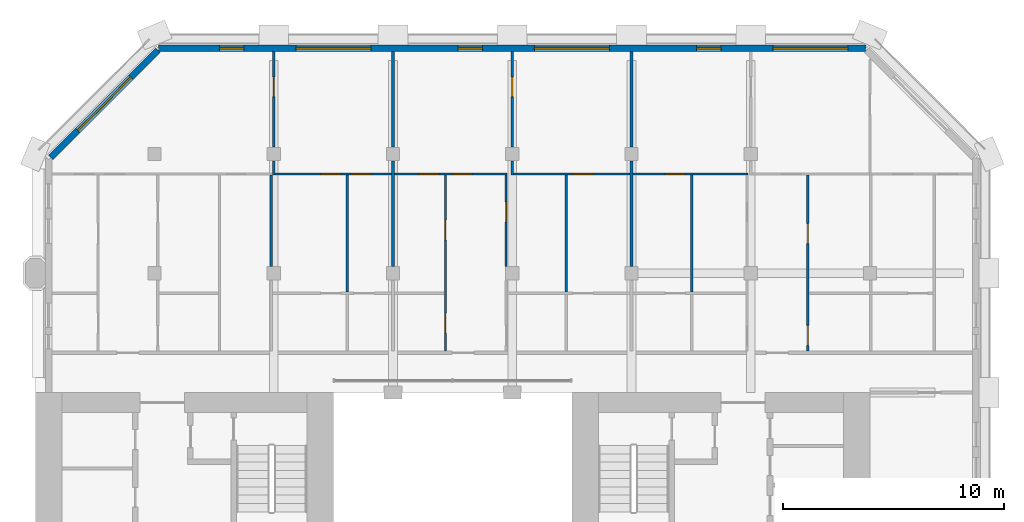
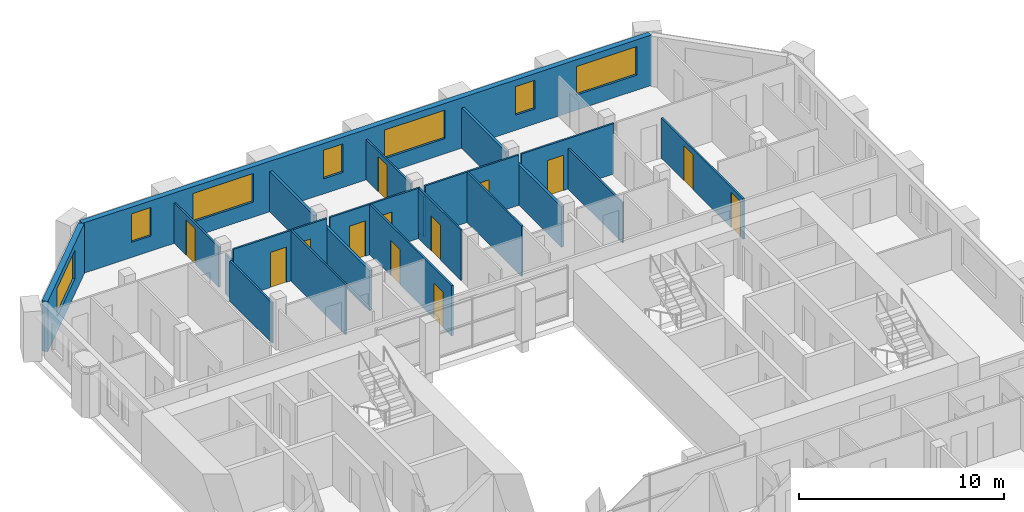
# One storey, part 9 of 13: 21 walls, 13 doors, 7 windows, 20 openings.
"""IFC4 building model written with IfcOpenShell, lengths in metres."""

from ifc_helpers import new_model, si_unit, direction, frame, frame_2d, origin, place, context, subcontext, project, spatial, rectangle, extrude, material, layer, layer_set, type_object, element, fill, save


model = new_model("IFC4")

# Units and contexts
model_context = context("Model", 3, precision=1e-05, world=origin(), true_north=direction((0.0, 1.0)))
body_context = subcontext(model_context, "Body", "Model", "MODEL_VIEW")
ifc_project = project(units=[si_unit("LENGTHUNIT", "METRE"), si_unit("AREAUNIT", "SQUARE_METRE"), si_unit("VOLUMEUNIT", "CUBIC_METRE"), si_unit("PLANEANGLEUNIT", "RADIAN"), si_unit("MASSUNIT", "GRAM", prefix="KILO")], contexts=[model_context])

# Site, building, storey
site_placement = place(None, origin())
site = spatial("IfcSite", under=ifc_project, at=site_placement, CompositionType="ELEMENT")
building_placement = place(site_placement, origin())
building = spatial("IfcBuilding", under=site, at=building_placement, Name="Tabaq Tower and Sports Hall", CompositionType="ELEMENT")
storey_placement = place(building_placement, frame((0.0, 0.0, 301.60009765625)))
storey = spatial("IfcBuildingStorey", under=building, at=storey_placement, Name="L75", CompositionType="ELEMENT", Elevation=301.60009765625)

# Wall
ifc_material_1 = material(Name="Gypsum board on steel studs", Category="steel")
ifc_layer_1 = layer(ifc_material_1, 0.10009765625)
ifc_layer_set_1 = layer_set([ifc_layer_1], Name="Partition 100 Gypsum board")
wall_type_1 = type_object("IfcWallType", Name="Partition 100 Gypsum board", PredefinedType="PARTITIONING", material=ifc_layer_set_1)
wall_1_placement = place(storey_placement, frame((16.199951171875, 42.25, 0.0), z_axis=(0.0, 0.0, 1.0), x_axis=(0.0, 1.0, 0.0)))
element("IfcWall", 1, at=wall_1_placement, inside=storey, type_object=wall_type_1, Name="Partition wall L75", PredefinedType="PARTITIONING", context=body_context, shape_type="SweptSolid", body=[
    extrude(rectangle(XDim=0.6298828125, YDim=0.10009765625, at=frame_2d((0.31494140625, 0.0))), origin(), (0.0, 0.0, 1.0), 2.39990234375),
])

# Wall, opening, door
wall_2_placement = place(storey_placement, frame((16.199951171875, 43.52001953125, 0.0), z_axis=(0.0, 0.0, 1.0), x_axis=(0.0, 1.0, 0.0)))
wall_2 = element("IfcWall", 2, at=wall_2_placement, inside=storey, type_object=wall_type_1, Name="Partition wall L75", PredefinedType="PARTITIONING", context=body_context, shape_type="SweptSolid", body=[
    extrude(rectangle(XDim=4.3291015625, YDim=0.10009765625, at=frame_2d((2.16455078125, 0.0))), origin(), (0.0, 0.0, 1.0), 2.39990234375),
])
opening_1_placement = place(wall_2_placement, frame((2.280029296875, 0.0, 0.0)))
opening_1 = element("IfcOpeningElement", 3, at=opening_1_placement, cuts=wall_2, Name="Opening L75-051", PredefinedType="OPENING", context=body_context, shape_type="SweptSolid", body=[
    extrude(rectangle(XDim=0.89990234375, YDim=2.10009765625, at=frame_2d((0.449951171875, 1.050048828125))), frame((0.0, 0.050048828125, 0.0), z_axis=(0.0, -1.0, 0.0), x_axis=(1.0, 0.0, 0.0)), (0.0, 0.0, 1.0), 0.10009765625),
])
ifc_material_2 = material(Name="Timber leaf in steel frame", Category="steel")
door_type_1 = type_object("IfcDoorType", Name="Internal door 900 left hand", OperationType="SINGLE_SWING_LEFT", PredefinedType="DOOR", material=ifc_material_2)
door_1_placement = place(opening_1_placement, origin())
door_1 = element("IfcDoor", 4, at=door_1_placement, inside=storey, type_object=door_type_1, Name="Internal door L75-051", OperationType="SINGLE_SWING_LEFT", OverallHeight=2.10009765625, OverallWidth=0.89990234375, PredefinedType="DOOR", context=body_context, shape_type="SweptSolid", body=[
    extrude(rectangle(XDim=0.89990234375, YDim=2.10009765625, at=frame_2d((0.449951171875, 1.050048828125))), frame((0.0, 0.02490234375, 0.0), z_axis=(0.0, -1.0, 0.0), x_axis=(1.0, 0.0, 0.0)), (0.0, 0.0, 1.0), 0.050048828125),
])
fill(opening_1, door_1)

# Wall, openings, doors
wall_3_placement = place(storey_placement, frame((16.25, 42.300048828125, 0.0), z_axis=(0.0, 0.0, 1.0), x_axis=(1.0, 0.0, 0.0)))
wall_3 = element("IfcWall", 5, at=wall_3_placement, inside=storey, type_object=wall_type_1, Name="Partition wall L75", PredefinedType="PARTITIONING", context=body_context, shape_type="SweptSolid", body=[
    extrude(rectangle(XDim=5.27490234375, YDim=0.10009765625, at=frame_2d((2.637451171875, 0.0))), origin(), (0.0, 0.0, 1.0), 3.0),
])
opening_2_placement = place(wall_3_placement, frame((2.080078125, 0.0, 0.0)))
opening_2 = element("IfcOpeningElement", 6, at=opening_2_placement, cuts=wall_3, Name="Opening L75-029", PredefinedType="OPENING", context=body_context, shape_type="SweptSolid", body=[
    extrude(rectangle(XDim=0.89990234375, YDim=2.10009765625, at=frame_2d((0.449951171875, 1.050048828125))), frame((0.0, 0.050048828125, 0.0), z_axis=(0.0, -1.0, 0.0), x_axis=(1.0, 0.0, 0.0)), (0.0, 0.0, 1.0), 0.10009765625),
])
opening_3_placement = place(wall_3_placement, frame((3.449951171875, 0.0, 0.0)))
opening_3 = element("IfcOpeningElement", 7, at=opening_3_placement, cuts=wall_3, Name="Opening L75-030", PredefinedType="OPENING", context=body_context, shape_type="SweptSolid", body=[
    extrude(rectangle(XDim=0.89990234375, YDim=2.10009765625, at=frame_2d((0.449951171875, 1.050048828125))), frame((0.0, 0.050048828125, 0.0), z_axis=(0.0, -1.0, 0.0), x_axis=(1.0, 0.0, 0.0)), (0.0, 0.0, 1.0), 0.10009765625),
])
door_2_placement = place(opening_2_placement, origin())
door_2 = element("IfcDoor", 8, at=door_2_placement, inside=storey, type_object=door_type_1, Name="Internal door L75-029", OperationType="SINGLE_SWING_LEFT", OverallHeight=2.10009765625, OverallWidth=0.89990234375, PredefinedType="DOOR", context=body_context, shape_type="SweptSolid", body=[
    extrude(rectangle(XDim=0.89990234375, YDim=2.10009765625, at=frame_2d((0.449951171875, 1.050048828125))), frame((0.0, 0.02490234375, 0.0), z_axis=(0.0, -1.0, 0.0), x_axis=(1.0, 0.0, 0.0)), (0.0, 0.0, 1.0), 0.050048828125),
])
fill(opening_2, door_2)
ifc_material_3 = material(Name="Timber leaf in steel frame", Category="steel")
door_type_2 = type_object("IfcDoorType", Name="Internal door 900 right hand", OperationType="SINGLE_SWING_RIGHT", PredefinedType="DOOR", material=ifc_material_3)
door_3_placement = place(opening_3_placement, origin())
door_3 = element("IfcDoor", 9, at=door_3_placement, inside=storey, type_object=door_type_2, Name="Internal door L75-030", OperationType="SINGLE_SWING_RIGHT", OverallHeight=2.10009765625, OverallWidth=0.89990234375, PredefinedType="DOOR", context=body_context, shape_type="SweptSolid", body=[
    extrude(rectangle(XDim=0.89990234375, YDim=2.10009765625, at=frame_2d((0.449951171875, 1.050048828125))), frame((0.0, 0.02490234375, 0.0), z_axis=(0.0, -1.0, 0.0), x_axis=(1.0, 0.0, 0.0)), (0.0, 0.0, 1.0), 0.050048828125),
])
fill(opening_3, door_3)

# Walls
wall_4_placement = place(storey_placement, frame((16.080078125, 38.1201171875, 0.0), z_axis=(0.0, 0.0, 1.0), x_axis=(0.0, 1.0, 0.0)))
element("IfcWall", 10, at=wall_4_placement, inside=storey, type_object=wall_type_1, Name="Partition wall L75", PredefinedType="PARTITIONING", context=body_context, shape_type="SweptSolid", body=[
    extrude(rectangle(XDim=4.1298828125, YDim=0.10009765625, at=frame_2d((2.06494140625, 0.0))), origin(), (0.0, 0.0, 1.0), 2.39990234375),
])
wall_5_placement = place(storey_placement, frame((19.530029296875, 36.949951171875, 0.0), z_axis=(0.0, 0.0, 1.0), x_axis=(0.0, 1.0, 0.0)))
element("IfcWall", 11, at=wall_5_placement, inside=storey, type_object=wall_type_1, Name="Partition wall L75", PredefinedType="PARTITIONING", context=body_context, shape_type="SweptSolid", body=[
    extrude(rectangle(XDim=5.300048828125, YDim=0.10009765625, at=frame_2d((2.64990234375, 0.0))), origin(), (0.0, 0.0, 1.0), 3.0),
])

# Wall, openings, doors
wall_6_placement = place(storey_placement, frame((21.675048828125, 42.300048828125, 0.0), z_axis=(0.0, 0.0, 1.0), x_axis=(1.0, 0.0, 0.0)))
wall_6 = element("IfcWall", 12, at=wall_6_placement, inside=storey, type_object=wall_type_1, Name="Partition wall L75", PredefinedType="PARTITIONING", context=body_context, shape_type="SweptSolid", body=[
    extrude(rectangle(XDim=5.096923828125, YDim=0.10009765625, at=frame_2d((2.54833984375, 0.0))), origin(), (0.0, 0.0, 1.0), 3.0),
])
opening_4_placement = place(wall_6_placement, frame((1.096923828125, 0.0, 0.0)))
opening_4 = element("IfcOpeningElement", 13, at=opening_4_placement, cuts=wall_6, Name="Opening L75-033", PredefinedType="OPENING", context=body_context, shape_type="SweptSolid", body=[
    extrude(rectangle(XDim=0.89990234375, YDim=2.10009765625, at=frame_2d((0.449951171875, 1.050048828125))), frame((0.0, 0.050048828125, 0.0), z_axis=(0.0, -1.0, 0.0), x_axis=(1.0, 0.0, 0.0)), (0.0, 0.0, 1.0), 0.10009765625),
])
opening_5_placement = place(wall_6_placement, frame((2.596923828125, 0.0, 0.0)))
opening_5 = element("IfcOpeningElement", 14, at=opening_5_placement, cuts=wall_6, Name="Opening L75-052", PredefinedType="OPENING", context=body_context, shape_type="SweptSolid", body=[
    extrude(rectangle(XDim=0.89990234375, YDim=2.10009765625, at=frame_2d((0.449951171875, 1.050048828125))), frame((0.0, 0.050048828125, 0.0), z_axis=(0.0, -1.0, 0.0), x_axis=(1.0, 0.0, 0.0)), (0.0, 0.0, 1.0), 0.10009765625),
])
door_4_placement = place(opening_4_placement, origin())
door_4 = element("IfcDoor", 15, at=door_4_placement, inside=storey, type_object=door_type_1, Name="Internal door L75-033", OperationType="SINGLE_SWING_LEFT", OverallHeight=2.10009765625, OverallWidth=0.89990234375, PredefinedType="DOOR", context=body_context, shape_type="SweptSolid", body=[
    extrude(rectangle(XDim=0.89990234375, YDim=2.10009765625, at=frame_2d((0.449951171875, 1.050048828125))), frame((0.0, 0.02490234375, 0.0), z_axis=(0.0, -1.0, 0.0), x_axis=(1.0, 0.0, 0.0)), (0.0, 0.0, 1.0), 0.050048828125),
])
fill(opening_4, door_4)
door_5_placement = place(opening_5_placement, origin())
door_5 = element("IfcDoor", 16, at=door_5_placement, inside=storey, type_object=door_type_2, Name="Internal door L75-052", OperationType="SINGLE_SWING_RIGHT", OverallHeight=2.10009765625, OverallWidth=0.89990234375, PredefinedType="DOOR", context=body_context, shape_type="SweptSolid", body=[
    extrude(rectangle(XDim=0.89990234375, YDim=2.10009765625, at=frame_2d((0.449951171875, 1.050048828125))), frame((0.0, 0.02490234375, 0.0), z_axis=(0.0, -1.0, 0.0), x_axis=(1.0, 0.0, 0.0)), (0.0, 0.0, 1.0), 0.050048828125),
])
fill(opening_5, door_5)

# Wall
wall_7_placement = place(storey_placement, frame((27.0, 42.25, 0.0), z_axis=(0.0, 0.0, 1.0), x_axis=(0.0, 1.0, 0.0)))
element("IfcWall", 17, at=wall_7_placement, inside=storey, type_object=wall_type_1, Name="Partition wall L75", PredefinedType="PARTITIONING", context=body_context, shape_type="SweptSolid", body=[
    extrude(rectangle(XDim=0.6298828125, YDim=0.10009765625, at=frame_2d((0.31494140625, 0.0))), origin(), (0.0, 0.0, 1.0), 2.39990234375),
])

# Wall, opening, door
wall_8_placement = place(storey_placement, frame((27.0, 43.52001953125, 0.0), z_axis=(0.0, 0.0, 1.0), x_axis=(0.0, 1.0, 0.0)))
wall_8 = element("IfcWall", 18, at=wall_8_placement, inside=storey, type_object=wall_type_1, Name="Partition wall L75", PredefinedType="PARTITIONING", context=body_context, shape_type="SweptSolid", body=[
    extrude(rectangle(XDim=4.3291015625, YDim=0.10009765625, at=frame_2d((2.16455078125, 0.0))), origin(), (0.0, 0.0, 1.0), 2.39990234375),
])
opening_6_placement = place(wall_8_placement, frame((2.280029296875, 0.0, 0.0)))
opening_6 = element("IfcOpeningElement", 19, at=opening_6_placement, cuts=wall_8, Name="Opening L75-032", PredefinedType="OPENING", context=body_context, shape_type="SweptSolid", body=[
    extrude(rectangle(XDim=0.89990234375, YDim=2.10009765625, at=frame_2d((0.449951171875, 1.050048828125))), frame((0.0, 0.050048828125, 0.0), z_axis=(0.0, -1.0, 0.0), x_axis=(1.0, 0.0, 0.0)), (0.0, 0.0, 1.0), 0.10009765625),
])
door_6_placement = place(opening_6_placement, origin())
door_6 = element("IfcDoor", 20, at=door_6_placement, inside=storey, type_object=door_type_1, Name="Internal door L75-032", OperationType="SINGLE_SWING_LEFT", OverallHeight=2.10009765625, OverallWidth=0.89990234375, PredefinedType="DOOR", context=body_context, shape_type="SweptSolid", body=[
    extrude(rectangle(XDim=0.89990234375, YDim=2.10009765625, at=frame_2d((0.449951171875, 1.050048828125))), frame((0.0, 0.02490234375, 0.0), z_axis=(0.0, -1.0, 0.0), x_axis=(1.0, 0.0, 0.0)), (0.0, 0.0, 1.0), 0.050048828125),
])
fill(opening_6, door_6)

wall_9_placement = place(storey_placement, frame((27.050048828125, 42.300048828125, 0.0), z_axis=(0.0, 0.0, 1.0), x_axis=(1.0, 0.0, 0.0)))
wall_9 = element("IfcWall", 21, at=wall_9_placement, inside=storey, type_object=wall_type_1, Name="Partition wall L75", PredefinedType="PARTITIONING", context=body_context, shape_type="SweptSolid", body=[
    extrude(rectangle(XDim=5.27490234375, YDim=0.10009765625, at=frame_2d((2.637451171875, 0.0))), origin(), (0.0, 0.0, 1.0), 3.0),
])
opening_7_placement = place(wall_9_placement, frame((2.699951171875, 0.0, 0.0)))
opening_7 = element("IfcOpeningElement", 22, at=opening_7_placement, cuts=wall_9, Name="Opening L75-034", PredefinedType="OPENING", context=body_context, shape_type="SweptSolid", body=[
    extrude(rectangle(XDim=0.89990234375, YDim=2.10009765625, at=frame_2d((0.449951171875, 1.050048828125))), frame((0.0, 0.050048828125, 0.0), z_axis=(0.0, -1.0, 0.0), x_axis=(1.0, 0.0, 0.0)), (0.0, 0.0, 1.0), 0.10009765625),
])
door_7_placement = place(opening_7_placement, origin())
door_7 = element("IfcDoor", 23, at=door_7_placement, inside=storey, type_object=door_type_2, Name="Internal door L75-034", OperationType="SINGLE_SWING_RIGHT", OverallHeight=2.10009765625, OverallWidth=0.89990234375, PredefinedType="DOOR", context=body_context, shape_type="SweptSolid", body=[
    extrude(rectangle(XDim=0.89990234375, YDim=2.10009765625, at=frame_2d((0.449951171875, 1.050048828125))), frame((0.0, 0.02490234375, 0.0), z_axis=(0.0, -1.0, 0.0), x_axis=(1.0, 0.0, 0.0)), (0.0, 0.0, 1.0), 0.050048828125),
])
fill(opening_7, door_7)

# Wall, openings, doors
wall_10_placement = place(storey_placement, frame((23.971923828125, 34.27490234375, 0.0), z_axis=(0.0, 0.0, 1.0), x_axis=(0.0, 1.0, 0.0)))
wall_10 = element("IfcWall", 24, at=wall_10_placement, inside=storey, type_object=wall_type_1, Name="Partition wall L75", PredefinedType="PARTITIONING", context=body_context, shape_type="SweptSolid", body=[
    extrude(rectangle(XDim=7.97509765625, YDim=0.10009765625, at=frame_2d((3.987548828125, 0.0))), origin(), (0.0, 0.0, 1.0), 3.0),
])
opening_8_placement = place(wall_10_placement, frame((0.824951171875, 0.0, 0.0)))
opening_8 = element("IfcOpeningElement", 25, at=opening_8_placement, cuts=wall_10, Name="Opening L75-007", PredefinedType="OPENING", context=body_context, shape_type="SweptSolid", body=[
    extrude(rectangle(XDim=0.89990234375, YDim=2.10009765625, at=frame_2d((0.449951171875, 1.050048828125))), frame((0.0, 0.050048828125, 0.0), z_axis=(0.0, -1.0, 0.0), x_axis=(1.0, 0.0, 0.0)), (0.0, 0.0, 1.0), 0.10009765625),
])
opening_9_placement = place(wall_10_placement, frame((5.037109375, 0.0, 0.0)))
opening_9 = element("IfcOpeningElement", 26, at=opening_9_placement, cuts=wall_10, Name="Opening L75-035", PredefinedType="OPENING", context=body_context, shape_type="SweptSolid", body=[
    extrude(rectangle(XDim=0.89990234375, YDim=2.10009765625, at=frame_2d((0.449951171875, 1.050048828125))), frame((0.0, 0.050048828125, 0.0), z_axis=(0.0, -1.0, 0.0), x_axis=(1.0, 0.0, 0.0)), (0.0, 0.0, 1.0), 0.10009765625),
])
door_8_placement = place(opening_9_placement, origin())
door_8 = element("IfcDoor", 27, at=door_8_placement, inside=storey, type_object=door_type_1, Name="Internal door L75-035", OperationType="SINGLE_SWING_LEFT", OverallHeight=2.10009765625, OverallWidth=0.89990234375, PredefinedType="DOOR", context=body_context, shape_type="SweptSolid", body=[
    extrude(rectangle(XDim=0.89990234375, YDim=2.10009765625, at=frame_2d((0.449951171875, 1.050048828125))), frame((0.0, 0.02490234375, 0.0), z_axis=(0.0, -1.0, 0.0), x_axis=(1.0, 0.0, 0.0)), (0.0, 0.0, 1.0), 0.050048828125),
])
fill(opening_9, door_8)
door_9_placement = place(opening_8_placement, origin())
door_9 = element("IfcDoor", 28, at=door_9_placement, inside=storey, type_object=door_type_2, Name="Internal door L75-007", OperationType="SINGLE_SWING_RIGHT", OverallHeight=2.10009765625, OverallWidth=0.89990234375, PredefinedType="DOOR", context=body_context, shape_type="SweptSolid", body=[
    extrude(rectangle(XDim=0.89990234375, YDim=2.10009765625, at=frame_2d((0.449951171875, 1.050048828125))), frame((0.0, 0.02490234375, 0.0), z_axis=(0.0, -1.0, 0.0), x_axis=(1.0, 0.0, 0.0)), (0.0, 0.0, 1.0), 0.050048828125),
])
fill(opening_8, door_9)

# Wall, opening, door
wall_11_placement = place(storey_placement, frame((26.721923828125, 38.1201171875, 0.0), z_axis=(0.0, 0.0, 1.0), x_axis=(0.0, 1.0, 0.0)))
wall_11 = element("IfcWall", 29, at=wall_11_placement, inside=storey, type_object=wall_type_1, Name="Partition wall L75", PredefinedType="PARTITIONING", context=body_context, shape_type="SweptSolid", body=[
    extrude(rectangle(XDim=4.1298828125, YDim=0.10009765625, at=frame_2d((2.06494140625, 0.0))), origin(), (0.0, 0.0, 1.0), 3.0),
])
opening_10_placement = place(wall_11_placement, frame((2.0048828125, 0.0, 0.0)))
opening_10 = element("IfcOpeningElement", 30, at=opening_10_placement, cuts=wall_11, Name="Opening L75-008", PredefinedType="OPENING", context=body_context, shape_type="SweptSolid", body=[
    extrude(rectangle(XDim=0.89990234375, YDim=2.10009765625, at=frame_2d((0.449951171875, 1.050048828125))), frame((0.0, 0.050048828125, 0.0), z_axis=(0.0, -1.0, 0.0), x_axis=(1.0, 0.0, 0.0)), (0.0, 0.0, 1.0), 0.10009765625),
])
door_10_placement = place(opening_10_placement, origin())
door_10 = element("IfcDoor", 31, at=door_10_placement, inside=storey, type_object=door_type_1, Name="Internal door L75-008", OperationType="SINGLE_SWING_LEFT", OverallHeight=2.10009765625, OverallWidth=0.89990234375, PredefinedType="DOOR", context=body_context, shape_type="SweptSolid", body=[
    extrude(rectangle(XDim=0.89990234375, YDim=2.10009765625, at=frame_2d((0.449951171875, 1.050048828125))), frame((0.0, 0.02490234375, 0.0), z_axis=(0.0, -1.0, 0.0), x_axis=(1.0, 0.0, 0.0)), (0.0, 0.0, 1.0), 0.050048828125),
])
fill(opening_10, door_10)

# Wall
wall_12_placement = place(storey_placement, frame((29.449951171875, 36.949951171875, 0.0), z_axis=(0.0, 0.0, 1.0), x_axis=(0.0, 1.0, 0.0)))
element("IfcWall", 32, at=wall_12_placement, inside=storey, type_object=wall_type_1, Name="Partition wall L75", PredefinedType="PARTITIONING", context=body_context, shape_type="SweptSolid", body=[
    extrude(rectangle(XDim=5.300048828125, YDim=0.10009765625, at=frame_2d((2.64990234375, 0.0))), origin(), (0.0, 0.0, 1.0), 3.0),
])

# Wall, opening, door
wall_13_placement = place(storey_placement, frame((32.47509765625, 42.300048828125, 0.0), z_axis=(0.0, 0.0, 1.0), x_axis=(1.0, 0.0, 0.0)))
wall_13 = element("IfcWall", 33, at=wall_13_placement, inside=storey, type_object=wall_type_1, Name="Partition wall L75", PredefinedType="PARTITIONING", context=body_context, shape_type="SweptSolid", body=[
    extrude(rectangle(XDim=5.2099609375, YDim=0.10009765625, at=frame_2d((2.60498046875, 0.0))), origin(), (0.0, 0.0, 1.0), 3.0),
])
opening_11_placement = place(wall_13_placement, frame((1.4599609375, 0.0, 0.0)))
opening_11 = element("IfcOpeningElement", 34, at=opening_11_placement, cuts=wall_13, Name="Opening L75-037", PredefinedType="OPENING", context=body_context, shape_type="SweptSolid", body=[
    extrude(rectangle(XDim=0.89990234375, YDim=2.10009765625, at=frame_2d((0.449951171875, 1.050048828125))), frame((0.0, 0.050048828125, 0.0), z_axis=(0.0, -1.0, 0.0), x_axis=(1.0, 0.0, 0.0)), (0.0, 0.0, 1.0), 0.10009765625),
])
door_11_placement = place(opening_11_placement, origin())
door_11 = element("IfcDoor", 35, at=door_11_placement, inside=storey, type_object=door_type_1, Name="Internal door L75-037", OperationType="SINGLE_SWING_LEFT", OverallHeight=2.10009765625, OverallWidth=0.89990234375, PredefinedType="DOOR", context=body_context, shape_type="SweptSolid", body=[
    extrude(rectangle(XDim=0.89990234375, YDim=2.10009765625, at=frame_2d((0.449951171875, 1.050048828125))), frame((0.0, 0.02490234375, 0.0), z_axis=(0.0, -1.0, 0.0), x_axis=(1.0, 0.0, 0.0)), (0.0, 0.0, 1.0), 0.050048828125),
])
fill(opening_11, door_11)

# Wall
wall_14_placement = place(storey_placement, frame((35.135009765625, 36.949951171875, 0.0), z_axis=(0.0, 0.0, 1.0), x_axis=(0.0, 1.0, 0.0)))
element("IfcWall", 36, at=wall_14_placement, inside=storey, type_object=wall_type_1, Name="Partition wall L75", PredefinedType="PARTITIONING", context=body_context, shape_type="SweptSolid", body=[
    extrude(rectangle(XDim=5.300048828125, YDim=0.10009765625, at=frame_2d((2.64990234375, 0.0))), origin(), (0.0, 0.0, 1.0), 2.39990234375),
])

# Wall, openings, doors
wall_15_placement = place(storey_placement, frame((40.385009765625, 34.27490234375, 0.0), z_axis=(0.0, 0.0, 1.0), x_axis=(0.0, 1.0, 0.0)))
wall_15 = element("IfcWall", 37, at=wall_15_placement, inside=storey, type_object=wall_type_1, Name="Partition wall L75", PredefinedType="PARTITIONING", context=body_context, shape_type="SweptSolid", body=[
    extrude(rectangle(XDim=7.97509765625, YDim=0.10009765625, at=frame_2d((3.987548828125, 0.0))), origin(), (0.0, 0.0, 1.0), 2.39990234375),
])
opening_12_placement = place(wall_15_placement, frame((4.875, 0.0, 0.0)))
opening_12 = element("IfcOpeningElement", 38, at=opening_12_placement, cuts=wall_15, Name="Opening L75-015", PredefinedType="OPENING", context=body_context, shape_type="SweptSolid", body=[
    extrude(rectangle(XDim=0.89990234375, YDim=2.10009765625, at=frame_2d((0.449951171875, 1.050048828125))), frame((0.0, 0.050048828125, 0.0), z_axis=(0.0, -1.0, 0.0), x_axis=(1.0, 0.0, 0.0)), (0.0, 0.0, 1.0), 0.10009765625),
])
opening_13_placement = place(wall_15_placement, frame((0.262451171875, 0.0, 0.0)))
opening_13 = element("IfcOpeningElement", 39, at=opening_13_placement, cuts=wall_15, Name="Opening L75-016", PredefinedType="OPENING", context=body_context, shape_type="SweptSolid", body=[
    extrude(rectangle(XDim=0.89990234375, YDim=2.10009765625, at=frame_2d((0.449951171875, 1.050048828125))), frame((0.0, 0.050048828125, 0.0), z_axis=(0.0, -1.0, 0.0), x_axis=(1.0, 0.0, 0.0)), (0.0, 0.0, 1.0), 0.10009765625),
])
door_12_placement = place(opening_12_placement, origin())
door_12 = element("IfcDoor", 40, at=door_12_placement, inside=storey, type_object=door_type_1, Name="Internal door L75-015", OperationType="SINGLE_SWING_LEFT", OverallHeight=2.10009765625, OverallWidth=0.89990234375, PredefinedType="DOOR", context=body_context, shape_type="SweptSolid", body=[
    extrude(rectangle(XDim=0.89990234375, YDim=2.10009765625, at=frame_2d((0.449951171875, 1.050048828125))), frame((0.0, 0.02490234375, 0.0), z_axis=(0.0, -1.0, 0.0), x_axis=(1.0, 0.0, 0.0)), (0.0, 0.0, 1.0), 0.050048828125),
])
fill(opening_12, door_12)
door_13_placement = place(opening_13_placement, origin())
door_13 = element("IfcDoor", 41, at=door_13_placement, inside=storey, type_object=door_type_1, Name="Internal door L75-016", OperationType="SINGLE_SWING_LEFT", OverallHeight=2.10009765625, OverallWidth=0.89990234375, PredefinedType="DOOR", context=body_context, shape_type="SweptSolid", body=[
    extrude(rectangle(XDim=0.89990234375, YDim=2.10009765625, at=frame_2d((0.449951171875, 1.050048828125))), frame((0.0, 0.02490234375, 0.0), z_axis=(0.0, -1.0, 0.0), x_axis=(1.0, 0.0, 0.0)), (0.0, 0.0, 1.0), 0.050048828125),
])
fill(opening_13, door_13)

# Walls
ifc_material_4 = material(Name="Blockwork", Category="masonry")
ifc_layer_2 = layer(ifc_material_4, 0.14990234375)
ifc_layer_set_2 = layer_set([ifc_layer_2], Name="Separating wall 150 Blockwork")
wall_type_2 = type_object("IfcWallType", Name="Separating wall 150 Blockwork", PredefinedType="PARTITIONING", material=ifc_layer_set_2)
wall_16_placement = place(storey_placement, frame((21.60009765625, 43.52001953125, 0.0), z_axis=(0.0, 0.0, 1.0), x_axis=(0.0, 1.0, 0.0)))
element("IfcWall", 42, at=wall_16_placement, inside=storey, type_object=wall_type_2, Name="Separating wall L75", PredefinedType="PARTITIONING", context=body_context, shape_type="SweptSolid", body=[
    extrude(rectangle(XDim=4.3291015625, YDim=0.14990234375, at=frame_2d((2.16455078125, 0.0))), origin(), (0.0, 0.0, 1.0), 2.39990234375),
])
wall_17_placement = place(storey_placement, frame((21.60009765625, 38.1201171875, 0.0), z_axis=(0.0, 0.0, 1.0), x_axis=(0.0, 1.0, 0.0)))
element("IfcWall", 43, at=wall_17_placement, inside=storey, type_object=wall_type_2, Name="Separating wall L75", PredefinedType="PARTITIONING", context=body_context, shape_type="SweptSolid", body=[
    extrude(rectangle(XDim=4.759765625, YDim=0.14990234375, at=frame_2d((2.3798828125, 0.0))), origin(), (0.0, 0.0, 1.0), 2.39990234375),
])
wall_18_placement = place(storey_placement, frame((32.39990234375, 43.52001953125, 0.0), z_axis=(0.0, 0.0, 1.0), x_axis=(0.0, 1.0, 0.0)))
element("IfcWall", 44, at=wall_18_placement, inside=storey, type_object=wall_type_2, Name="Separating wall L75", PredefinedType="PARTITIONING", context=body_context, shape_type="SweptSolid", body=[
    extrude(rectangle(XDim=4.3291015625, YDim=0.14990234375, at=frame_2d((2.16455078125, 0.0))), origin(), (0.0, 0.0, 1.0), 2.39990234375),
])
wall_19_placement = place(storey_placement, frame((32.39990234375, 38.1201171875, 0.0), z_axis=(0.0, 0.0, 1.0), x_axis=(0.0, 1.0, 0.0)))
element("IfcWall", 45, at=wall_19_placement, inside=storey, type_object=wall_type_2, Name="Separating wall L75", PredefinedType="PARTITIONING", context=body_context, shape_type="SweptSolid", body=[
    extrude(rectangle(XDim=4.759765625, YDim=0.14990234375, at=frame_2d((2.3798828125, 0.0))), origin(), (0.0, 0.0, 1.0), 2.39990234375),
])

# Wall, openings, windows
ifc_material_5 = material(Name="White precast concrete C60/75", Category="concrete")
ifc_layer_3 = layer(ifc_material_5, 0.300048828125)
ifc_layer_set_3 = layer_set([ifc_layer_3], Name="White precast concrete C60/75 external wall 300")
wall_type_3 = type_object("IfcWallType", Name="White precast concrete C60/75 external wall 300", PredefinedType="SOLIDWALL", material=ifc_layer_set_3)
wall_20_placement = place(storey_placement, frame((43.013671875, 48.0, 0.0), z_axis=(0.0, 0.0, 1.0), x_axis=(-1.0, 0.0, 0.0)))
wall_20 = element("IfcWall", 46, at=wall_20_placement, inside=storey, type_object=wall_type_3, Name="External Wall L75 N", PredefinedType="SOLIDWALL", context=body_context, shape_type="SweptSolid", body=[
    extrude(rectangle(XDim=32.02734375, YDim=0.300048828125, at=frame_2d((16.013671875, 0.0))), origin(), (0.0, 0.0, 1.0), 3.0),
])
opening_14_placement = place(wall_20_placement, frame((0.813720703125, 0.0, 0.89990234375)))
opening_14 = element("IfcOpeningElement", 47, at=opening_14_placement, cuts=wall_20, Name="Opening W1A", PredefinedType="OPENING", context=body_context, shape_type="SweptSolid", body=[
    extrude(rectangle(XDim=3.39990234375, YDim=1.699951171875, at=frame_2d((1.699951171875, 0.85009765625))), frame((0.0, 0.16015625, 0.0), z_axis=(0.0, -1.0, 0.0), x_axis=(1.0, 0.0, 0.0)), (0.0, 0.0, 1.0), 0.320068359375),
])
opening_15_placement = place(wall_20_placement, frame((6.563720703125, 0.0, 0.89990234375)))
opening_15 = element("IfcOpeningElement", 48, at=opening_15_placement, cuts=wall_20, Name="Opening W1B", PredefinedType="OPENING", context=body_context, shape_type="SweptSolid", body=[
    extrude(rectangle(XDim=1.10009765625, YDim=1.699951171875, at=frame_2d((0.550048828125, 0.85009765625))), frame((0.0, 0.16015625, 0.0), z_axis=(0.0, -1.0, 0.0), x_axis=(1.0, 0.0, 0.0)), (0.0, 0.0, 1.0), 0.320068359375),
])
opening_16_placement = place(wall_20_placement, frame((11.613525390625, 0.0, 0.89990234375)))
opening_16 = element("IfcOpeningElement", 49, at=opening_16_placement, cuts=wall_20, Name="Opening W1A", PredefinedType="OPENING", context=body_context, shape_type="SweptSolid", body=[
    extrude(rectangle(XDim=3.39990234375, YDim=1.699951171875, at=frame_2d((1.699951171875, 0.85009765625))), frame((0.0, 0.16015625, 0.0), z_axis=(0.0, -1.0, 0.0), x_axis=(1.0, 0.0, 0.0)), (0.0, 0.0, 1.0), 0.320068359375),
])
opening_17_placement = place(wall_20_placement, frame((17.363525390625, 0.0, 0.89990234375)))
opening_17 = element("IfcOpeningElement", 50, at=opening_17_placement, cuts=wall_20, Name="Opening W1B", PredefinedType="OPENING", context=body_context, shape_type="SweptSolid", body=[
    extrude(rectangle(XDim=1.10009765625, YDim=1.699951171875, at=frame_2d((0.550048828125, 0.85009765625))), frame((0.0, 0.16015625, 0.0), z_axis=(0.0, -1.0, 0.0), x_axis=(1.0, 0.0, 0.0)), (0.0, 0.0, 1.0), 0.320068359375),
])
opening_18_placement = place(wall_20_placement, frame((22.41357421875, 0.0, 0.89990234375)))
opening_18 = element("IfcOpeningElement", 51, at=opening_18_placement, cuts=wall_20, Name="Opening W1A", PredefinedType="OPENING", context=body_context, shape_type="SweptSolid", body=[
    extrude(rectangle(XDim=3.39990234375, YDim=1.699951171875, at=frame_2d((1.699951171875, 0.85009765625))), frame((0.0, 0.16015625, 0.0), z_axis=(0.0, -1.0, 0.0), x_axis=(1.0, 0.0, 0.0)), (0.0, 0.0, 1.0), 0.320068359375),
])
opening_19_placement = place(wall_20_placement, frame((28.16357421875, 0.0, 0.89990234375)))
opening_19 = element("IfcOpeningElement", 52, at=opening_19_placement, cuts=wall_20, Name="Opening W1B", PredefinedType="OPENING", context=body_context, shape_type="SweptSolid", body=[
    extrude(rectangle(XDim=1.10009765625, YDim=1.699951171875, at=frame_2d((0.550048828125, 0.85009765625))), frame((0.0, 0.16015625, 0.0), z_axis=(0.0, -1.0, 0.0), x_axis=(1.0, 0.0, 0.0)), (0.0, 0.0, 1.0), 0.320068359375),
])
ifc_material_6 = material(Name="Aluminium framed clear glazing", Category="aluminium")
window_type_1 = type_object("IfcWindowType", Name="Window W1A", PartitioningType="SINGLE_PANEL", PredefinedType="WINDOW", material=ifc_material_6)
window_1_placement = place(opening_14_placement, origin())
window_1 = element("IfcWindow", 53, at=window_1_placement, inside=storey, type_object=window_type_1, Name="Window W1A L75", OverallHeight=1.699951171875, OverallWidth=3.39990234375, PartitioningType="SINGLE_PANEL", PredefinedType="WINDOW", context=body_context, shape_type="SweptSolid", body=[
    extrude(rectangle(XDim=3.39990234375, YDim=1.699951171875, at=frame_2d((1.699951171875, 0.85009765625))), frame((0.0, 0.030029296875, 0.0), z_axis=(0.0, -1.0, 0.0), x_axis=(1.0, 0.0, 0.0)), (0.0, 0.0, 1.0), 0.06005859375),
])
fill(opening_14, window_1)
window_2_placement = place(opening_16_placement, origin())
window_2 = element("IfcWindow", 54, at=window_2_placement, inside=storey, type_object=window_type_1, Name="Window W1A L75", OverallHeight=1.699951171875, OverallWidth=3.39990234375, PartitioningType="SINGLE_PANEL", PredefinedType="WINDOW", context=body_context, shape_type="SweptSolid", body=[
    extrude(rectangle(XDim=3.39990234375, YDim=1.699951171875, at=frame_2d((1.699951171875, 0.85009765625))), frame((0.0, 0.030029296875, 0.0), z_axis=(0.0, -1.0, 0.0), x_axis=(1.0, 0.0, 0.0)), (0.0, 0.0, 1.0), 0.06005859375),
])
fill(opening_16, window_2)
window_3_placement = place(opening_18_placement, origin())
window_3 = element("IfcWindow", 55, at=window_3_placement, inside=storey, type_object=window_type_1, Name="Window W1A L75", OverallHeight=1.699951171875, OverallWidth=3.39990234375, PartitioningType="SINGLE_PANEL", PredefinedType="WINDOW", context=body_context, shape_type="SweptSolid", body=[
    extrude(rectangle(XDim=3.39990234375, YDim=1.699951171875, at=frame_2d((1.699951171875, 0.85009765625))), frame((0.0, 0.030029296875, 0.0), z_axis=(0.0, -1.0, 0.0), x_axis=(1.0, 0.0, 0.0)), (0.0, 0.0, 1.0), 0.06005859375),
])
fill(opening_18, window_3)
ifc_material_7 = material(Name="Aluminium framed clear glazing", Category="aluminium")
window_type_2 = type_object("IfcWindowType", Name="Window W1B", PartitioningType="SINGLE_PANEL", PredefinedType="WINDOW", material=ifc_material_7)
window_4_placement = place(opening_15_placement, origin())
window_4 = element("IfcWindow", 56, at=window_4_placement, inside=storey, type_object=window_type_2, Name="Window W1B L75", OverallHeight=1.699951171875, OverallWidth=1.10009765625, PartitioningType="SINGLE_PANEL", PredefinedType="WINDOW", context=body_context, shape_type="SweptSolid", body=[
    extrude(rectangle(XDim=1.10009765625, YDim=1.699951171875, at=frame_2d((0.550048828125, 0.85009765625))), frame((0.0, 0.030029296875, 0.0), z_axis=(0.0, -1.0, 0.0), x_axis=(1.0, 0.0, 0.0)), (0.0, 0.0, 1.0), 0.06005859375),
])
fill(opening_15, window_4)
window_5_placement = place(opening_17_placement, origin())
window_5 = element("IfcWindow", 57, at=window_5_placement, inside=storey, type_object=window_type_2, Name="Window W1B L75", OverallHeight=1.699951171875, OverallWidth=1.10009765625, PartitioningType="SINGLE_PANEL", PredefinedType="WINDOW", context=body_context, shape_type="SweptSolid", body=[
    extrude(rectangle(XDim=1.10009765625, YDim=1.699951171875, at=frame_2d((0.550048828125, 0.85009765625))), frame((0.0, 0.030029296875, 0.0), z_axis=(0.0, -1.0, 0.0), x_axis=(1.0, 0.0, 0.0)), (0.0, 0.0, 1.0), 0.06005859375),
])
fill(opening_17, window_5)
window_6_placement = place(opening_19_placement, origin())
window_6 = element("IfcWindow", 58, at=window_6_placement, inside=storey, type_object=window_type_2, Name="Window W1B L75", OverallHeight=1.699951171875, OverallWidth=1.10009765625, PartitioningType="SINGLE_PANEL", PredefinedType="WINDOW", context=body_context, shape_type="SweptSolid", body=[
    extrude(rectangle(XDim=1.10009765625, YDim=1.699951171875, at=frame_2d((0.550048828125, 0.85009765625))), frame((0.0, 0.030029296875, 0.0), z_axis=(0.0, -1.0, 0.0), x_axis=(1.0, 0.0, 0.0)), (0.0, 0.0, 1.0), 0.06005859375),
])
fill(opening_19, window_6)

# Wall, opening, window
wall_21_placement = place(storey_placement, frame((10.949462890625, 47.901123046875, 0.0), z_axis=(0.0, 0.0, 1.0), x_axis=(-0.707106781187, -0.707106781187, 0.0)))
wall_21 = element("IfcWall", 59, at=wall_21_placement, inside=storey, type_object=wall_type_3, Name="External Wall L75 NW", PredefinedType="SOLIDWALL", context=body_context, shape_type="SweptSolid", body=[
    extrude(rectangle(XDim=6.85986328125, YDim=0.300048828125, at=frame_2d((3.429931640625, 0.0))), origin(), (0.0, 0.0, 1.0), 3.0),
])
opening_20_placement = place(wall_21_placement, frame((1.729736328125, 0.0, 0.89990234375)))
opening_20 = element("IfcOpeningElement", 60, at=opening_20_placement, cuts=wall_21, Name="Opening W1A", PredefinedType="OPENING", context=body_context, shape_type="SweptSolid", body=[
    extrude(rectangle(XDim=3.39990234375, YDim=1.699951171875, at=frame_2d((1.699951171875, 0.85009765625))), frame((0.0, 0.16015625, 0.0), z_axis=(0.0, -1.0, 0.0), x_axis=(1.0, 0.0, 0.0)), (0.0, 0.0, 1.0), 0.320068359375),
])
window_7_placement = place(opening_20_placement, origin())
window_7 = element("IfcWindow", 61, at=window_7_placement, inside=storey, type_object=window_type_1, Name="Window W1A L75", OverallHeight=1.699951171875, OverallWidth=3.39990234375, PartitioningType="SINGLE_PANEL", PredefinedType="WINDOW", context=body_context, shape_type="SweptSolid", body=[
    extrude(rectangle(XDim=3.39990234375, YDim=1.699951171875, at=frame_2d((1.699951171875, 0.85009765625))), frame((0.0, 0.030029296875, 0.0), z_axis=(0.0, -1.0, 0.0), x_axis=(1.0, 0.0, 0.0)), (0.0, 0.0, 1.0), 0.06005859375),
])
fill(opening_20, window_7)

save(model, "model.ifc")
